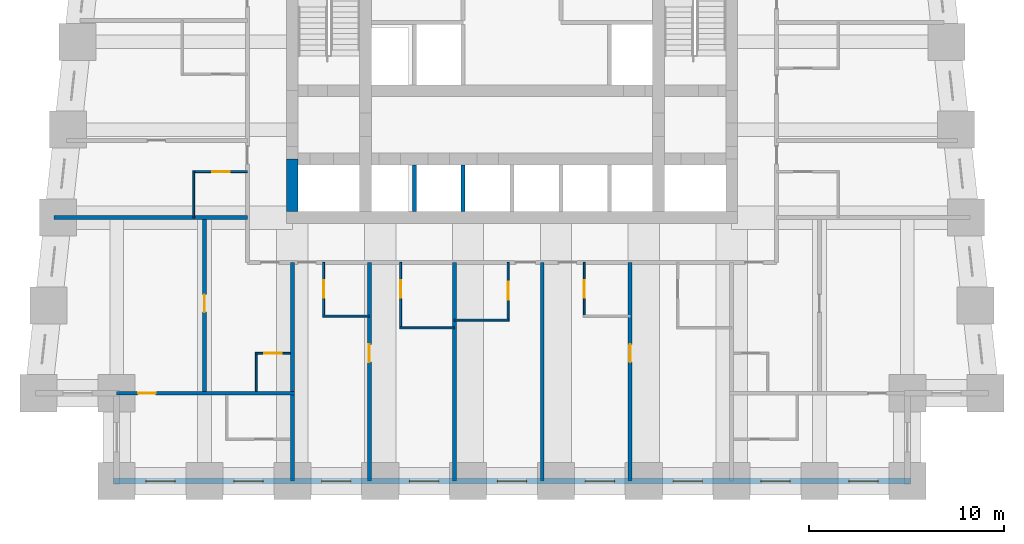
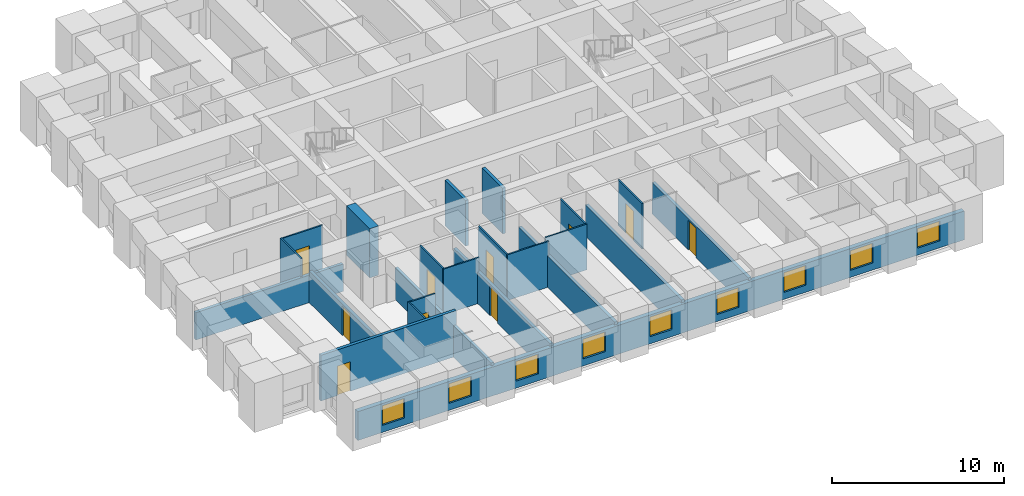
# One storey, part 2 of 8: 23 walls, 10 doors, 9 windows, 19 openings.
"""IFC4 building model written with IfcOpenShell, lengths in metres."""

from ifc_helpers import new_model, si_unit, direction, frame, frame_2d, origin, place, context, subcontext, project, spatial, rectangle, extrude, material, layer, layer_set, type_object, element, fill, save


model = new_model("IFC4")

# Units and contexts
model_context = context("Model", 3, precision=1e-05, world=origin(), true_north=direction((0.0, 1.0)))
body_context = subcontext(model_context, "Body", "Model", "MODEL_VIEW")
ifc_project = project(units=[si_unit("LENGTHUNIT", "METRE"), si_unit("AREAUNIT", "SQUARE_METRE"), si_unit("VOLUMEUNIT", "CUBIC_METRE"), si_unit("PLANEANGLEUNIT", "RADIAN"), si_unit("MASSUNIT", "GRAM", prefix="KILO")], contexts=[model_context])

# Site, building, storey
site_placement = place(None, origin())
site = spatial("IfcSite", under=ifc_project, at=site_placement, CompositionType="ELEMENT")
building_placement = place(site_placement, origin())
building = spatial("IfcBuilding", under=site, at=building_placement, Name="Kilele Tower Hotel", CompositionType="ELEMENT")
storey_placement = place(building_placement, frame((0.0, 0.0, 50.699951171875)))
storey = spatial("IfcBuildingStorey", under=building, at=storey_placement, Name="L11", CompositionType="ELEMENT", Elevation=50.699951171875)

# Wall
ifc_material_1 = material(Name="Moisture-resistant board")
ifc_layer_1 = layer(ifc_material_1, 0.10009765625)
ifc_layer_set_1 = layer_set([ifc_layer_1], Name="Moisture-resistant board")
wall_type_1 = type_object("IfcWallType", Name="Bathroom partition 100", PredefinedType="PLUMBINGWALL", material=ifc_layer_set_1)
wall_1_placement = place(storey_placement, frame((15.050048828125, 8.449951171875, 0.0), z_axis=(0.0, 0.0, 1.0), x_axis=(1.0, 0.0, 0.0)))
element("IfcWall", 1, at=wall_1_placement, inside=storey, type_object=wall_type_1, Name="Bathroom partition 100 L11", PredefinedType="PLUMBINGWALL", context=body_context, shape_type="SweptSolid", body=[
    extrude(rectangle(XDim=2.39990234375, YDim=0.10009765625, at=frame_2d((1.199951171875, 0.0))), origin(), (0.0, 0.0, 1.0), 3.25),
])

# Wall, opening, door
wall_2_placement = place(storey_placement, frame((15.10009765625, 11.199951171875, 0.0), z_axis=(0.0, 0.0, 1.0), x_axis=(0.0, -1.0, 0.0)))
wall_2 = element("IfcWall", 2, at=wall_2_placement, inside=storey, type_object=wall_type_1, Name="Bathroom partition 100 L11", PredefinedType="PLUMBINGWALL", context=body_context, shape_type="SweptSolid", body=[
    extrude(rectangle(XDim=2.800048828125, YDim=0.10009765625, at=frame_2d((1.39990234375, 0.0))), origin(), (0.0, 0.0, 1.0), 3.25),
])
opening_1_placement = place(wall_2_placement, frame((1.7998046875, 0.0, 0.0), z_axis=(0.0, 0.0, 1.0), x_axis=(-1.0, 0.0, 0.0)))
opening_1 = element("IfcOpeningElement", 3, at=opening_1_placement, cuts=wall_2, Name="Opening D2A", PredefinedType="OPENING", context=body_context, shape_type="SweptSolid", body=[
    extrude(rectangle(XDim=0.89990234375, YDim=2.10009765625, at=frame_2d((0.449951171875, 1.050048828125))), frame((0.0, 0.06005859375, 0.0), z_axis=(0.0, -1.0, 0.0), x_axis=(1.0, 0.0, 0.0)), (0.0, 0.0, 1.0), 0.1201171875),
])
ifc_material_2 = material(Name="Timber door leaf in hardwood frame", Category="wood")
door_type_1 = type_object("IfcDoorType", Name="Bathroom door 900", OperationType="SINGLE_SWING_LEFT", PredefinedType="DOOR", material=ifc_material_2)
door_1_placement = place(opening_1_placement, origin())
door_1 = element("IfcDoor", 4, at=door_1_placement, inside=storey, type_object=door_type_1, Name="Bathroom door 1101B", OperationType="SINGLE_SWING_RIGHT", OverallHeight=2.10009765625, OverallWidth=0.89990234375, PredefinedType="DOOR", context=body_context, shape_type="SweptSolid", body=[
    extrude(rectangle(XDim=0.89990234375, YDim=2.10009765625, at=frame_2d((0.449951171875, 1.050048828125))), frame((0.0, 0.02490234375, 0.0), z_axis=(0.0, -1.0, 0.0), x_axis=(1.0, 0.0, 0.0)), (0.0, 0.0, 1.0), 0.050048828125),
])
fill(opening_1, door_1)

# Wall
wall_3_placement = place(storey_placement, frame((19.0, 7.85009765625, 0.0), z_axis=(0.0, 0.0, 1.0), x_axis=(1.0, 0.0, 0.0)))
element("IfcWall", 5, at=wall_3_placement, inside=storey, type_object=wall_type_1, Name="Bathroom partition 100 L11", PredefinedType="PLUMBINGWALL", context=body_context, shape_type="SweptSolid", body=[
    extrude(rectangle(XDim=2.800048828125, YDim=0.10009765625, at=frame_2d((1.39990234375, 0.0))), origin(), (0.0, 0.0, 1.0), 3.25),
])

# Wall, opening, door
wall_4_placement = place(storey_placement, frame((19.050048828125, 11.199951171875, 0.0), z_axis=(0.0, 0.0, 1.0), x_axis=(0.0, -1.0, 0.0)))
wall_4 = element("IfcWall", 6, at=wall_4_placement, inside=storey, type_object=wall_type_1, Name="Bathroom partition 100 L11", PredefinedType="PLUMBINGWALL", context=body_context, shape_type="SweptSolid", body=[
    extrude(rectangle(XDim=3.39990234375, YDim=0.10009765625, at=frame_2d((1.699951171875, 0.0))), origin(), (0.0, 0.0, 1.0), 3.25),
])
opening_2_placement = place(wall_4_placement, frame((1.7998046875, 0.0, 0.0), z_axis=(0.0, 0.0, 1.0), x_axis=(-1.0, 0.0, 0.0)))
opening_2 = element("IfcOpeningElement", 7, at=opening_2_placement, cuts=wall_4, Name="Opening D2A", PredefinedType="OPENING", context=body_context, shape_type="SweptSolid", body=[
    extrude(rectangle(XDim=0.89990234375, YDim=2.10009765625, at=frame_2d((0.449951171875, 1.050048828125))), frame((0.0, 0.06005859375, 0.0), z_axis=(0.0, -1.0, 0.0), x_axis=(1.0, 0.0, 0.0)), (0.0, 0.0, 1.0), 0.1201171875),
])
door_2_placement = place(opening_2_placement, origin())
door_2 = element("IfcDoor", 8, at=door_2_placement, inside=storey, type_object=door_type_1, Name="Bathroom door 1102B", OperationType="SINGLE_SWING_RIGHT", OverallHeight=2.10009765625, OverallWidth=0.89990234375, PredefinedType="DOOR", context=body_context, shape_type="SweptSolid", body=[
    extrude(rectangle(XDim=0.89990234375, YDim=2.10009765625, at=frame_2d((0.449951171875, 1.050048828125))), frame((0.0, 0.02490234375, 0.0), z_axis=(0.0, -1.0, 0.0), x_axis=(1.0, 0.0, 0.0)), (0.0, 0.0, 1.0), 0.050048828125),
])
fill(opening_2, door_2)

# Wall
wall_5_placement = place(storey_placement, frame((21.800048828125, 8.25, 0.0), z_axis=(0.0, 0.0, 1.0), x_axis=(1.0, 0.0, 0.0)))
element("IfcWall", 9, at=wall_5_placement, inside=storey, type_object=wall_type_1, Name="Bathroom partition 100 L11", PredefinedType="PLUMBINGWALL", context=body_context, shape_type="SweptSolid", body=[
    extrude(rectangle(XDim=2.800048828125, YDim=0.10009765625, at=frame_2d((1.39990234375, 0.0))), origin(), (0.0, 0.0, 1.0), 3.25),
])

# Wall, opening, door
wall_6_placement = place(storey_placement, frame((24.550048828125, 11.199951171875, 0.0), z_axis=(0.0, 0.0, 1.0), x_axis=(0.0, -1.0, 0.0)))
wall_6 = element("IfcWall", 10, at=wall_6_placement, inside=storey, type_object=wall_type_1, Name="Bathroom partition 100 L11", PredefinedType="PLUMBINGWALL", context=body_context, shape_type="SweptSolid", body=[
    extrude(rectangle(XDim=3.0, YDim=0.10009765625, at=frame_2d((1.5, 0.0))), origin(), (0.0, 0.0, 1.0), 3.25),
])
opening_3_placement = place(wall_6_placement, frame((1.0, 0.0, 0.0)))
opening_3 = element("IfcOpeningElement", 11, at=opening_3_placement, cuts=wall_6, Name="Opening D2A", PredefinedType="OPENING", context=body_context, shape_type="SweptSolid", body=[
    extrude(rectangle(XDim=0.89990234375, YDim=2.10009765625, at=frame_2d((0.449951171875, 1.050048828125))), frame((0.0, 0.06005859375, 0.0), z_axis=(0.0, -1.0, 0.0), x_axis=(1.0, 0.0, 0.0)), (0.0, 0.0, 1.0), 0.1201171875),
])
door_3_placement = place(opening_3_placement, origin())
door_3 = element("IfcDoor", 12, at=door_3_placement, inside=storey, type_object=door_type_1, Name="Bathroom door 1103B", OperationType="SINGLE_SWING_LEFT", OverallHeight=2.10009765625, OverallWidth=0.89990234375, PredefinedType="DOOR", context=body_context, shape_type="SweptSolid", body=[
    extrude(rectangle(XDim=0.89990234375, YDim=2.10009765625, at=frame_2d((0.449951171875, 1.050048828125))), frame((0.0, 0.02490234375, 0.0), z_axis=(0.0, -1.0, 0.0), x_axis=(1.0, 0.0, 0.0)), (0.0, 0.0, 1.0), 0.050048828125),
])
fill(opening_3, door_3)

wall_7_placement = place(storey_placement, frame((28.449951171875, 11.199951171875, 0.0), z_axis=(0.0, 0.0, 1.0), x_axis=(0.0, -1.0, 0.0)))
wall_7 = element("IfcWall", 13, at=wall_7_placement, inside=storey, type_object=wall_type_1, Name="Bathroom partition 100 L11", PredefinedType="PLUMBINGWALL", context=body_context, shape_type="SweptSolid", body=[
    extrude(rectangle(XDim=2.800048828125, YDim=0.10009765625, at=frame_2d((1.39990234375, 0.0))), origin(), (0.0, 0.0, 1.0), 3.25),
])
opening_4_placement = place(wall_7_placement, frame((1.7998046875, 0.0, 0.0), z_axis=(0.0, 0.0, 1.0), x_axis=(-1.0, 0.0, 0.0)))
opening_4 = element("IfcOpeningElement", 14, at=opening_4_placement, cuts=wall_7, Name="Opening D2A", PredefinedType="OPENING", context=body_context, shape_type="SweptSolid", body=[
    extrude(rectangle(XDim=0.89990234375, YDim=2.10009765625, at=frame_2d((0.449951171875, 1.050048828125))), frame((0.0, 0.06005859375, 0.0), z_axis=(0.0, -1.0, 0.0), x_axis=(1.0, 0.0, 0.0)), (0.0, 0.0, 1.0), 0.1201171875),
])
door_4_placement = place(opening_4_placement, origin())
door_4 = element("IfcDoor", 15, at=door_4_placement, inside=storey, type_object=door_type_1, Name="Bathroom door 1104B", OperationType="SINGLE_SWING_RIGHT", OverallHeight=2.10009765625, OverallWidth=0.89990234375, PredefinedType="DOOR", context=body_context, shape_type="SweptSolid", body=[
    extrude(rectangle(XDim=0.89990234375, YDim=2.10009765625, at=frame_2d((0.449951171875, 1.050048828125))), frame((0.0, 0.02490234375, 0.0), z_axis=(0.0, -1.0, 0.0), x_axis=(1.0, 0.0, 0.0)), (0.0, 0.0, 1.0), 0.050048828125),
])
fill(opening_4, door_4)

# Wall
wall_8_placement = place(storey_placement, frame((8.449951171875, 13.5, 0.0), z_axis=(0.0, 0.0, 1.0), x_axis=(0.0, 1.0, 0.0)))
element("IfcWall", 16, at=wall_8_placement, inside=storey, type_object=wall_type_1, Name="Bathroom partition 100 L11", PredefinedType="PLUMBINGWALL", context=body_context, shape_type="SweptSolid", body=[
    extrude(rectangle(XDim=2.39990234375, YDim=0.10009765625, at=frame_2d((1.199951171875, 0.0))), origin(), (0.0, 0.0, 1.0), 3.25),
])

# Wall, opening, door
wall_9_placement = place(storey_placement, frame((11.199951171875, 15.85009765625, 0.0), z_axis=(0.0, 0.0, 1.0), x_axis=(-1.0, 0.0, 0.0)))
wall_9 = element("IfcWall", 17, at=wall_9_placement, inside=storey, type_object=wall_type_1, Name="Bathroom partition 100 L11", PredefinedType="PLUMBINGWALL", context=body_context, shape_type="SweptSolid", body=[
    extrude(rectangle(XDim=2.800048828125, YDim=0.10009765625, at=frame_2d((1.39990234375, 0.0))), origin(), (0.0, 0.0, 1.0), 3.25),
])
opening_5_placement = place(wall_9_placement, frame((1.7998046875, 0.0, 0.0), z_axis=(0.0, 0.0, 1.0), x_axis=(-1.0, 0.0, 0.0)))
opening_5 = element("IfcOpeningElement", 18, at=opening_5_placement, cuts=wall_9, Name="Opening D2A", PredefinedType="OPENING", context=body_context, shape_type="SweptSolid", body=[
    extrude(rectangle(XDim=0.89990234375, YDim=2.10009765625, at=frame_2d((0.449951171875, 1.050048828125))), frame((0.0, 0.06005859375, 0.0), z_axis=(0.0, -1.0, 0.0), x_axis=(1.0, 0.0, 0.0)), (0.0, 0.0, 1.0), 0.1201171875),
])
door_5_placement = place(opening_5_placement, origin())
door_5 = element("IfcDoor", 19, at=door_5_placement, inside=storey, type_object=door_type_1, Name="Bathroom door 1114B", OperationType="SINGLE_SWING_RIGHT", OverallHeight=2.10009765625, OverallWidth=0.89990234375, PredefinedType="DOOR", context=body_context, shape_type="SweptSolid", body=[
    extrude(rectangle(XDim=0.89990234375, YDim=2.10009765625, at=frame_2d((0.449951171875, 1.050048828125))), frame((0.0, 0.02490234375, 0.0), z_axis=(0.0, -1.0, 0.0), x_axis=(1.0, 0.0, 0.0)), (0.0, 0.0, 1.0), 0.050048828125),
])
fill(opening_5, door_5)

# Wall
wall_10_placement = place(storey_placement, frame((11.64990234375, 4.60009765625, 0.0), z_axis=(0.0, 0.0, 1.0), x_axis=(0.0, 1.0, 0.0)))
element("IfcWall", 20, at=wall_10_placement, inside=storey, type_object=wall_type_1, Name="Bathroom partition 100 L11", PredefinedType="PLUMBINGWALL", context=body_context, shape_type="SweptSolid", body=[
    extrude(rectangle(XDim=2.0, YDim=0.10009765625, at=frame_2d((1.0, 0.0))), origin(), (0.0, 0.0, 1.0), 3.25),
])

# Wall, opening, door
wall_11_placement = place(storey_placement, frame((13.39990234375, 6.550048828125, 0.0), z_axis=(0.0, 0.0, 1.0), x_axis=(-1.0, 0.0, 0.0)))
wall_11 = element("IfcWall", 21, at=wall_11_placement, inside=storey, type_object=wall_type_1, Name="Bathroom partition 100 L11", PredefinedType="PLUMBINGWALL", context=body_context, shape_type="SweptSolid", body=[
    extrude(rectangle(XDim=1.7998046875, YDim=0.10009765625, at=frame_2d((0.89990234375, 0.0))), origin(), (0.0, 0.0, 1.0), 3.25),
])
opening_6_placement = place(wall_11_placement, frame((1.349853515625, 0.0, 0.0), z_axis=(0.0, 0.0, 1.0), x_axis=(-1.0, 0.0, 0.0)))
opening_6 = element("IfcOpeningElement", 22, at=opening_6_placement, cuts=wall_11, Name="Opening D2A", PredefinedType="OPENING", context=body_context, shape_type="SweptSolid", body=[
    extrude(rectangle(XDim=0.89990234375, YDim=2.10009765625, at=frame_2d((0.449951171875, 1.050048828125))), frame((0.0, 0.06005859375, 0.0), z_axis=(0.0, -1.0, 0.0), x_axis=(1.0, 0.0, 0.0)), (0.0, 0.0, 1.0), 0.1201171875),
])
door_6_placement = place(opening_6_placement, origin())
door_6 = element("IfcDoor", 23, at=door_6_placement, inside=storey, type_object=door_type_1, Name="Bathroom door 1117P", OperationType="SINGLE_SWING_RIGHT", OverallHeight=2.10009765625, OverallWidth=0.89990234375, PredefinedType="DOOR", context=body_context, shape_type="SweptSolid", body=[
    extrude(rectangle(XDim=0.89990234375, YDim=2.10009765625, at=frame_2d((0.449951171875, 1.050048828125))), frame((0.0, 0.02490234375, 0.0), z_axis=(0.0, -1.0, 0.0), x_axis=(1.0, 0.0, 0.0)), (0.0, 0.0, 1.0), 0.050048828125),
])
fill(opening_6, door_6)

# Wall
ifc_material_3 = material(Name="Concrete C60/75", Category="concrete")
ifc_layer_2 = layer(ifc_material_3, 0.60009765625)
ifc_layer_set_2 = layer_set([ifc_layer_2], Name="Concrete C60/75")
wall_type_2 = type_object("IfcWallType", Name="Core wall 600 C60/75", PredefinedType="SHEAR", material=ifc_layer_set_2)
wall_12_placement = place(storey_placement, frame((13.5, 16.5, 0.0), z_axis=(0.0, 0.0, 1.0), x_axis=(0.0, -1.0, 0.0)))
element("IfcWall", 24, at=wall_12_placement, inside=storey, type_object=wall_type_2, Name="Core wall W3 L11", PredefinedType="SHEAR", context=body_context, shape_type="SweptSolid", body=[
    extrude(rectangle(XDim=2.699951171875, YDim=0.60009765625, at=frame_2d((1.35009765625, 0.0))), origin(), (0.0, 0.0, 1.0), 3.5),
])

# Wall, opening, door
ifc_material_4 = material(Name="Blockwork, plastered both sides", Category="masonry")
ifc_layer_3 = layer(ifc_material_4, 0.199951171875)
ifc_layer_set_3 = layer_set([ifc_layer_3], Name="Blockwork, plastered both sides")
wall_type_3 = type_object("IfcWallType", Name="Partition wall 200", PredefinedType="PARTITIONING", material=ifc_layer_set_3)
wall_13_placement = place(storey_placement, frame((9.0, 4.60009765625, 0.0), z_axis=(0.0, 0.0, 1.0), x_axis=(0.0, 1.0, 0.0)))
wall_13 = element("IfcWall", 25, at=wall_13_placement, inside=storey, type_object=wall_type_3, Name="Partition wall 200 L11", PredefinedType="PARTITIONING", context=body_context, shape_type="SweptSolid", body=[
    extrude(rectangle(XDim=8.7998046875, YDim=0.199951171875, at=frame_2d((4.39990234375, 0.0))), origin(), (0.0, 0.0, 1.0), 2.25),
])
opening_7_placement = place(wall_13_placement, frame((4.050048828125, 0.0, 0.0)))
opening_7 = element("IfcOpeningElement", 26, at=opening_7_placement, cuts=wall_13, Name="Opening D3", PredefinedType="OPENING", context=body_context, shape_type="SweptSolid", body=[
    extrude(rectangle(XDim=0.89990234375, YDim=2.10009765625, at=frame_2d((0.449951171875, 1.050048828125))), frame((0.0, 0.10986328125, 0.0), z_axis=(0.0, -1.0, 0.0), x_axis=(1.0, 0.0, 0.0)), (0.0, 0.0, 1.0), 0.219970703125),
])
ifc_material_5 = material(Name="Timber door leaf in hardwood frame", Category="wood")
door_type_2 = type_object("IfcDoorType", Name="Suite internal door 900", OperationType="SINGLE_SWING_LEFT", PredefinedType="DOOR", material=ifc_material_5)
door_7_placement = place(opening_7_placement, origin())
door_7 = element("IfcDoor", 27, at=door_7_placement, inside=storey, type_object=door_type_2, Name="Suite door 1118", OperationType="SINGLE_SWING_RIGHT", OverallHeight=2.10009765625, OverallWidth=0.89990234375, PredefinedType="DOOR", context=body_context, shape_type="SweptSolid", body=[
    extrude(rectangle(XDim=0.89990234375, YDim=2.10009765625, at=frame_2d((0.449951171875, 1.050048828125))), frame((0.0, 0.02490234375, 0.0), z_axis=(0.0, -1.0, 0.0), x_axis=(1.0, 0.0, 0.0)), (0.0, 0.0, 1.0), 0.050048828125),
])
fill(opening_7, door_7)

ifc_material_6 = material(Name="Blockwork, plastered both sides", Category="masonry")
ifc_layer_4 = layer(ifc_material_6, 0.199951171875)
ifc_layer_set_4 = layer_set([ifc_layer_4], Name="Blockwork, plastered both sides")
wall_type_4 = type_object("IfcWallType", Name="Party wall 200", PredefinedType="PARTITIONING", material=ifc_layer_set_4)
wall_14_placement = place(storey_placement, frame((17.449951171875, 11.199951171875, 0.0), z_axis=(0.0, 0.0, 1.0), x_axis=(0.0, -1.0, 0.0)))
wall_14 = element("IfcWall", 28, at=wall_14_placement, inside=storey, type_object=wall_type_4, Name="Party wall 200 L11", PredefinedType="PARTITIONING", context=body_context, shape_type="SweptSolid", body=[
    extrude(rectangle(XDim=11.199951171875, YDim=0.199951171875, at=frame_2d((5.60009765625, 0.0))), origin(), (0.0, 0.0, 1.0), 2.25),
])
opening_8_placement = place(wall_14_placement, frame((5.099853515625, 0.0, 0.0), z_axis=(0.0, 0.0, 1.0), x_axis=(-1.0, 0.0, 0.0)))
opening_8 = element("IfcOpeningElement", 29, at=opening_8_placement, cuts=wall_14, Name="Opening D3", PredefinedType="OPENING", context=body_context, shape_type="SweptSolid", body=[
    extrude(rectangle(XDim=0.89990234375, YDim=2.10009765625, at=frame_2d((0.449951171875, 1.050048828125))), frame((0.0, 0.10986328125, 0.0), z_axis=(0.0, -1.0, 0.0), x_axis=(1.0, 0.0, 0.0)), (0.0, 0.0, 1.0), 0.219970703125),
])
door_8_placement = place(opening_8_placement, origin())
door_8 = element("IfcDoor", 30, at=door_8_placement, inside=storey, type_object=door_type_2, Name="Suite door 1102", OperationType="SINGLE_SWING_RIGHT", OverallHeight=2.10009765625, OverallWidth=0.89990234375, PredefinedType="DOOR", context=body_context, shape_type="SweptSolid", body=[
    extrude(rectangle(XDim=0.89990234375, YDim=2.10009765625, at=frame_2d((0.449951171875, 1.050048828125))), frame((0.0, 0.02490234375, 0.0), z_axis=(0.0, -1.0, 0.0), x_axis=(1.0, 0.0, 0.0)), (0.0, 0.0, 1.0), 0.050048828125),
])
fill(opening_8, door_8)

# Walls
for number, where, z_axis, x_axis, name in (
    (31, (21.800048828125, 11.199951171875, 0.0), (0.0, 0.0, 1.0), (0.0, -1.0, 0.0), "Party wall 200 L11"),
    (32, (26.300048828125, 11.199951171875, 0.0), (0.0, 0.0, 1.0), (0.0, -1.0, 0.0), "Party wall 200 L11"),
):
    element("IfcWall", number, at=place(storey_placement, frame(where, z_axis=z_axis, x_axis=x_axis)), inside=storey, type_object=wall_type_4, Name=name, PredefinedType="PARTITIONING", context=body_context, shape_type="SweptSolid", body=[
        extrude(rectangle(XDim=11.199951171875, YDim=0.199951171875, at=frame_2d((5.60009765625, 0.0))), origin(), (0.0, 0.0, 1.0), 2.25),
    ])

# Wall, opening, door
wall_15_placement = place(storey_placement, frame((30.800048828125, 11.199951171875, 0.0), z_axis=(0.0, 0.0, 1.0), x_axis=(0.0, -1.0, 0.0)))
wall_15 = element("IfcWall", 33, at=wall_15_placement, inside=storey, type_object=wall_type_4, Name="Party wall 200 L11", PredefinedType="PARTITIONING", context=body_context, shape_type="SweptSolid", body=[
    extrude(rectangle(XDim=11.199951171875, YDim=0.199951171875, at=frame_2d((5.60009765625, 0.0))), origin(), (0.0, 0.0, 1.0), 2.25),
])
opening_9_placement = place(wall_15_placement, frame((5.099853515625, 0.0, 0.0), z_axis=(0.0, 0.0, 1.0), x_axis=(-1.0, 0.0, 0.0)))
opening_9 = element("IfcOpeningElement", 34, at=opening_9_placement, cuts=wall_15, Name="Opening D3", PredefinedType="OPENING", context=body_context, shape_type="SweptSolid", body=[
    extrude(rectangle(XDim=0.89990234375, YDim=2.10009765625, at=frame_2d((0.449951171875, 1.050048828125))), frame((0.0, 0.10986328125, 0.0), z_axis=(0.0, -1.0, 0.0), x_axis=(1.0, 0.0, 0.0)), (0.0, 0.0, 1.0), 0.219970703125),
])
door_9_placement = place(opening_9_placement, origin())
door_9 = element("IfcDoor", 35, at=door_9_placement, inside=storey, type_object=door_type_2, Name="Suite door 1105", OperationType="SINGLE_SWING_RIGHT", OverallHeight=2.10009765625, OverallWidth=0.89990234375, PredefinedType="DOOR", context=body_context, shape_type="SweptSolid", body=[
    extrude(rectangle(XDim=0.89990234375, YDim=2.10009765625, at=frame_2d((0.449951171875, 1.050048828125))), frame((0.0, 0.02490234375, 0.0), z_axis=(0.0, -1.0, 0.0), x_axis=(1.0, 0.0, 0.0)), (0.0, 0.0, 1.0), 0.050048828125),
])
fill(opening_9, door_9)

# Walls
wall_16_placement = place(storey_placement, frame((11.199951171875, 13.5, 0.0), z_axis=(0.0, 0.0, 1.0), x_axis=(-1.0, 0.0, 0.0)))
element("IfcWall", 36, at=wall_16_placement, inside=storey, type_object=wall_type_4, Name="Party wall 200 L11", PredefinedType="PARTITIONING", context=body_context, shape_type="SweptSolid", body=[
    extrude(rectangle(XDim=9.921142578125, YDim=0.199951171875, at=frame_2d((4.96044921875, 0.0))), origin(), (0.0, 0.0, 1.0), 1.949951171875),
])
wall_17_placement = place(storey_placement, frame((13.5, 11.199951171875, 0.0), z_axis=(0.0, 0.0, 1.0), x_axis=(0.0, -1.0, 0.0)))
element("IfcWall", 37, at=wall_17_placement, inside=storey, type_object=wall_type_4, Name="Party wall 200 L11", PredefinedType="PARTITIONING", context=body_context, shape_type="SweptSolid", body=[
    extrude(rectangle(XDim=11.199951171875, YDim=0.199951171875, at=frame_2d((5.60009765625, 0.0))), origin(), (0.0, 0.0, 1.0), 2.25),
])

# Wall, opening, door
wall_18_placement = place(storey_placement, frame((13.60009765625, 4.5, 0.0), z_axis=(0.0, 0.0, 1.0), x_axis=(-1.0, 0.0, 0.0)))
wall_18 = element("IfcWall", 38, at=wall_18_placement, inside=storey, type_object=wall_type_4, Name="Party wall 200 L11", PredefinedType="PARTITIONING", context=body_context, shape_type="SweptSolid", body=[
    extrude(rectangle(XDim=9.10009765625, YDim=0.199951171875, at=frame_2d((4.550048828125, 0.0))), origin(), (0.0, 0.0, 1.0), 3.25),
])
opening_10_placement = place(wall_18_placement, frame((7.10009765625, 0.0, 0.0)))
opening_10 = element("IfcOpeningElement", 39, at=opening_10_placement, cuts=wall_18, Name="Opening D3", PredefinedType="OPENING", context=body_context, shape_type="SweptSolid", body=[
    extrude(rectangle(XDim=0.89990234375, YDim=2.10009765625, at=frame_2d((0.449951171875, 1.050048828125))), frame((0.0, 0.10986328125, 0.0), z_axis=(0.0, -1.0, 0.0), x_axis=(1.0, 0.0, 0.0)), (0.0, 0.0, 1.0), 0.219970703125),
])
door_10_placement = place(opening_10_placement, origin())
door_10 = element("IfcDoor", 40, at=door_10_placement, inside=storey, type_object=door_type_2, Name="Suite door 1119", OperationType="SINGLE_SWING_RIGHT", OverallHeight=2.10009765625, OverallWidth=0.89990234375, PredefinedType="DOOR", context=body_context, shape_type="SweptSolid", body=[
    extrude(rectangle(XDim=0.89990234375, YDim=2.10009765625, at=frame_2d((0.449951171875, 1.050048828125))), frame((0.0, 0.02490234375, 0.0), z_axis=(0.0, -1.0, 0.0), x_axis=(1.0, 0.0, 0.0)), (0.0, 0.0, 1.0), 0.050048828125),
])
fill(opening_10, door_10)

# Wall, openings, windows
ifc_material_7 = material(Name="Concrete C40/50 precast", Category="concrete")
ifc_layer_5 = layer(ifc_material_7, 0.260009765625, Name="Precast backing", Category="LoadBearing")
ifc_material_8 = material(Name="Reconstituted stone finish", Category="masonry")
ifc_layer_6 = layer(ifc_material_8, 0.0400390625, Name="Face mix", Category="Finish")
ifc_layer_set_5 = layer_set([ifc_layer_5, ifc_layer_6], Name="Precast concrete C40/50, reconstituted stone finish")
wall_type_5 = type_object("IfcWallType", Name="Precast stone facade wall 300", PredefinedType="STANDARD", material=ifc_layer_set_5)
wall_19_placement = place(storey_placement, frame((4.35009765625, 0.0, 0.0), z_axis=(0.0, 0.0, 1.0), x_axis=(1.0, 0.0, 0.0)))
wall_19 = element("IfcWall", 41, at=wall_19_placement, inside=storey, type_object=wall_type_5, Name="Facade wall L11 edge 3", PredefinedType="STANDARD", context=body_context, shape_type="SweptSolid", body=[
    extrude(rectangle(XDim=40.7998046875, YDim=0.300048828125, at=frame_2d((20.39990234375, 0.0))), origin(), (0.0, 0.0, 1.0), 2.050048828125),
])
opening_11_placement = place(wall_19_placement, frame((1.64990234375, 0.0, 0.5)))
opening_11 = element("IfcOpeningElement", 42, at=opening_11_placement, cuts=wall_19, Name="Opening W1", PredefinedType="OPENING", context=body_context, shape_type="SweptSolid", body=[
    extrude(rectangle(XDim=1.5, YDim=1.39990234375, at=frame_2d((0.75, 0.699951171875))), frame((0.0, 0.159912109375, 0.0), z_axis=(0.0, -1.0, 0.0), x_axis=(1.0, 0.0, 0.0)), (0.0, 0.0, 1.0), 0.320068359375),
])
opening_12_placement = place(wall_19_placement, frame((6.14990234375, 0.0, 0.5)))
opening_12 = element("IfcOpeningElement", 43, at=opening_12_placement, cuts=wall_19, Name="Opening W1", PredefinedType="OPENING", context=body_context, shape_type="SweptSolid", body=[
    extrude(rectangle(XDim=1.5, YDim=1.39990234375, at=frame_2d((0.75, 0.699951171875))), frame((0.0, 0.159912109375, 0.0), z_axis=(0.0, -1.0, 0.0), x_axis=(1.0, 0.0, 0.0)), (0.0, 0.0, 1.0), 0.320068359375),
])
opening_13_placement = place(wall_19_placement, frame((10.64990234375, 0.0, 0.5)))
opening_13 = element("IfcOpeningElement", 44, at=opening_13_placement, cuts=wall_19, Name="Opening W1", PredefinedType="OPENING", context=body_context, shape_type="SweptSolid", body=[
    extrude(rectangle(XDim=1.5, YDim=1.39990234375, at=frame_2d((0.75, 0.699951171875))), frame((0.0, 0.159912109375, 0.0), z_axis=(0.0, -1.0, 0.0), x_axis=(1.0, 0.0, 0.0)), (0.0, 0.0, 1.0), 0.320068359375),
])
opening_14_placement = place(wall_19_placement, frame((15.14990234375, 0.0, 0.5)))
opening_14 = element("IfcOpeningElement", 45, at=opening_14_placement, cuts=wall_19, Name="Opening W1", PredefinedType="OPENING", context=body_context, shape_type="SweptSolid", body=[
    extrude(rectangle(XDim=1.5, YDim=1.39990234375, at=frame_2d((0.75, 0.699951171875))), frame((0.0, 0.159912109375, 0.0), z_axis=(0.0, -1.0, 0.0), x_axis=(1.0, 0.0, 0.0)), (0.0, 0.0, 1.0), 0.320068359375),
])
opening_15_placement = place(wall_19_placement, frame((19.64990234375, 0.0, 0.5)))
opening_15 = element("IfcOpeningElement", 46, at=opening_15_placement, cuts=wall_19, Name="Opening W1", PredefinedType="OPENING", context=body_context, shape_type="SweptSolid", body=[
    extrude(rectangle(XDim=1.5, YDim=1.39990234375, at=frame_2d((0.75, 0.699951171875))), frame((0.0, 0.159912109375, 0.0), z_axis=(0.0, -1.0, 0.0), x_axis=(1.0, 0.0, 0.0)), (0.0, 0.0, 1.0), 0.320068359375),
])
opening_16_placement = place(wall_19_placement, frame((24.14990234375, 0.0, 0.5)))
opening_16 = element("IfcOpeningElement", 47, at=opening_16_placement, cuts=wall_19, Name="Opening W1", PredefinedType="OPENING", context=body_context, shape_type="SweptSolid", body=[
    extrude(rectangle(XDim=1.5, YDim=1.39990234375, at=frame_2d((0.75, 0.699951171875))), frame((0.0, 0.159912109375, 0.0), z_axis=(0.0, -1.0, 0.0), x_axis=(1.0, 0.0, 0.0)), (0.0, 0.0, 1.0), 0.320068359375),
])
opening_17_placement = place(wall_19_placement, frame((28.64990234375, 0.0, 0.5)))
opening_17 = element("IfcOpeningElement", 48, at=opening_17_placement, cuts=wall_19, Name="Opening W1", PredefinedType="OPENING", context=body_context, shape_type="SweptSolid", body=[
    extrude(rectangle(XDim=1.5, YDim=1.39990234375, at=frame_2d((0.75, 0.699951171875))), frame((0.0, 0.159912109375, 0.0), z_axis=(0.0, -1.0, 0.0), x_axis=(1.0, 0.0, 0.0)), (0.0, 0.0, 1.0), 0.320068359375),
])
opening_18_placement = place(wall_19_placement, frame((33.14990234375, 0.0, 0.5)))
opening_18 = element("IfcOpeningElement", 49, at=opening_18_placement, cuts=wall_19, Name="Opening W1", PredefinedType="OPENING", context=body_context, shape_type="SweptSolid", body=[
    extrude(rectangle(XDim=1.5, YDim=1.39990234375, at=frame_2d((0.75, 0.699951171875))), frame((0.0, 0.159912109375, 0.0), z_axis=(0.0, -1.0, 0.0), x_axis=(1.0, 0.0, 0.0)), (0.0, 0.0, 1.0), 0.320068359375),
])
opening_19_placement = place(wall_19_placement, frame((37.64990234375, 0.0, 0.5)))
opening_19 = element("IfcOpeningElement", 50, at=opening_19_placement, cuts=wall_19, Name="Opening W1", PredefinedType="OPENING", context=body_context, shape_type="SweptSolid", body=[
    extrude(rectangle(XDim=1.5, YDim=1.39990234375, at=frame_2d((0.75, 0.699951171875))), frame((0.0, 0.159912109375, 0.0), z_axis=(0.0, -1.0, 0.0), x_axis=(1.0, 0.0, 0.0)), (0.0, 0.0, 1.0), 0.320068359375),
])
ifc_material_9 = material(Name="Aluminium frame, clear double glazing", Category="aluminium")
window_type = type_object("IfcWindowType", Name="Window W1 1500 x 1400", PartitioningType="SINGLE_PANEL", PredefinedType="WINDOW", material=ifc_material_9)
window_1_placement = place(opening_11_placement, origin())
window_1 = element("IfcWindow", 51, at=window_1_placement, inside=storey, type_object=window_type, Name="Window L11", OverallHeight=1.39990234375, OverallWidth=1.5, PartitioningType="SINGLE_PANEL", PredefinedType="WINDOW", context=body_context, shape_type="SweptSolid", body=[
    extrude(rectangle(XDim=1.5, YDim=1.39990234375, at=frame_2d((0.75, 0.699951171875))), frame((0.0, 0.030029296875, 0.0), z_axis=(0.0, -1.0, 0.0), x_axis=(1.0, 0.0, 0.0)), (0.0, 0.0, 1.0), 0.06005859375),
])
fill(opening_11, window_1)
window_2_placement = place(opening_12_placement, origin())
window_2 = element("IfcWindow", 52, at=window_2_placement, inside=storey, type_object=window_type, Name="Window L11", OverallHeight=1.39990234375, OverallWidth=1.5, PartitioningType="SINGLE_PANEL", PredefinedType="WINDOW", context=body_context, shape_type="SweptSolid", body=[
    extrude(rectangle(XDim=1.5, YDim=1.39990234375, at=frame_2d((0.75, 0.699951171875))), frame((0.0, 0.030029296875, 0.0), z_axis=(0.0, -1.0, 0.0), x_axis=(1.0, 0.0, 0.0)), (0.0, 0.0, 1.0), 0.06005859375),
])
fill(opening_12, window_2)
window_3_placement = place(opening_13_placement, origin())
window_3 = element("IfcWindow", 53, at=window_3_placement, inside=storey, type_object=window_type, Name="Window L11", OverallHeight=1.39990234375, OverallWidth=1.5, PartitioningType="SINGLE_PANEL", PredefinedType="WINDOW", context=body_context, shape_type="SweptSolid", body=[
    extrude(rectangle(XDim=1.5, YDim=1.39990234375, at=frame_2d((0.75, 0.699951171875))), frame((0.0, 0.030029296875, 0.0), z_axis=(0.0, -1.0, 0.0), x_axis=(1.0, 0.0, 0.0)), (0.0, 0.0, 1.0), 0.06005859375),
])
fill(opening_13, window_3)
window_4_placement = place(opening_14_placement, origin())
window_4 = element("IfcWindow", 54, at=window_4_placement, inside=storey, type_object=window_type, Name="Window L11", OverallHeight=1.39990234375, OverallWidth=1.5, PartitioningType="SINGLE_PANEL", PredefinedType="WINDOW", context=body_context, shape_type="SweptSolid", body=[
    extrude(rectangle(XDim=1.5, YDim=1.39990234375, at=frame_2d((0.75, 0.699951171875))), frame((0.0, 0.030029296875, 0.0), z_axis=(0.0, -1.0, 0.0), x_axis=(1.0, 0.0, 0.0)), (0.0, 0.0, 1.0), 0.06005859375),
])
fill(opening_14, window_4)
window_5_placement = place(opening_15_placement, origin())
window_5 = element("IfcWindow", 55, at=window_5_placement, inside=storey, type_object=window_type, Name="Window L11", OverallHeight=1.39990234375, OverallWidth=1.5, PartitioningType="SINGLE_PANEL", PredefinedType="WINDOW", context=body_context, shape_type="SweptSolid", body=[
    extrude(rectangle(XDim=1.5, YDim=1.39990234375, at=frame_2d((0.75, 0.699951171875))), frame((0.0, 0.030029296875, 0.0), z_axis=(0.0, -1.0, 0.0), x_axis=(1.0, 0.0, 0.0)), (0.0, 0.0, 1.0), 0.06005859375),
])
fill(opening_15, window_5)
window_6_placement = place(opening_16_placement, origin())
window_6 = element("IfcWindow", 56, at=window_6_placement, inside=storey, type_object=window_type, Name="Window L11", OverallHeight=1.39990234375, OverallWidth=1.5, PartitioningType="SINGLE_PANEL", PredefinedType="WINDOW", context=body_context, shape_type="SweptSolid", body=[
    extrude(rectangle(XDim=1.5, YDim=1.39990234375, at=frame_2d((0.75, 0.699951171875))), frame((0.0, 0.030029296875, 0.0), z_axis=(0.0, -1.0, 0.0), x_axis=(1.0, 0.0, 0.0)), (0.0, 0.0, 1.0), 0.06005859375),
])
fill(opening_16, window_6)
window_7_placement = place(opening_17_placement, origin())
window_7 = element("IfcWindow", 57, at=window_7_placement, inside=storey, type_object=window_type, Name="Window L11", OverallHeight=1.39990234375, OverallWidth=1.5, PartitioningType="SINGLE_PANEL", PredefinedType="WINDOW", context=body_context, shape_type="SweptSolid", body=[
    extrude(rectangle(XDim=1.5, YDim=1.39990234375, at=frame_2d((0.75, 0.699951171875))), frame((0.0, 0.030029296875, 0.0), z_axis=(0.0, -1.0, 0.0), x_axis=(1.0, 0.0, 0.0)), (0.0, 0.0, 1.0), 0.06005859375),
])
fill(opening_17, window_7)
window_8_placement = place(opening_18_placement, origin())
window_8 = element("IfcWindow", 58, at=window_8_placement, inside=storey, type_object=window_type, Name="Window L11", OverallHeight=1.39990234375, OverallWidth=1.5, PartitioningType="SINGLE_PANEL", PredefinedType="WINDOW", context=body_context, shape_type="SweptSolid", body=[
    extrude(rectangle(XDim=1.5, YDim=1.39990234375, at=frame_2d((0.75, 0.699951171875))), frame((0.0, 0.030029296875, 0.0), z_axis=(0.0, -1.0, 0.0), x_axis=(1.0, 0.0, 0.0)), (0.0, 0.0, 1.0), 0.06005859375),
])
fill(opening_18, window_8)
window_9_placement = place(opening_19_placement, origin())
window_9 = element("IfcWindow", 59, at=window_9_placement, inside=storey, type_object=window_type, Name="Window L11", OverallHeight=1.39990234375, OverallWidth=1.5, PartitioningType="SINGLE_PANEL", PredefinedType="WINDOW", context=body_context, shape_type="SweptSolid", body=[
    extrude(rectangle(XDim=1.5, YDim=1.39990234375, at=frame_2d((0.75, 0.699951171875))), frame((0.0, 0.030029296875, 0.0), z_axis=(0.0, -1.0, 0.0), x_axis=(1.0, 0.0, 0.0)), (0.0, 0.0, 1.0), 0.06005859375),
])
fill(opening_19, window_9)

# Walls
ifc_material_10 = material(Name="Blockwork, fire-rated", Category="masonry")
ifc_layer_7 = layer(ifc_material_10, 0.199951171875)
ifc_layer_set_6 = layer_set([ifc_layer_7], Name="Blockwork, fire-rated")
wall_type_6 = type_object("IfcWallType", Name="Shaft wall 200", PredefinedType="PARTITIONING", material=ifc_layer_set_6)
for number, where, z_axis, x_axis, name in (
    (60, (19.75, 13.800048828125, 0.0), (0.0, 0.0, 1.0), (0.0, 1.0, 0.0), "Shaft wall 200 L11"),
    (61, (22.25, 13.800048828125, 0.0), (0.0, 0.0, 1.0), (0.0, 1.0, 0.0), "Shaft wall 200 L11"),
):
    element("IfcWall", number, at=place(storey_placement, frame(where, z_axis=z_axis, x_axis=x_axis)), inside=storey, type_object=wall_type_6, Name=name, PredefinedType="PARTITIONING", context=body_context, shape_type="SweptSolid", body=[
        extrude(rectangle(XDim=2.39990234375, YDim=0.199951171875, at=frame_2d((1.199951171875, 0.0))), origin(), (0.0, 0.0, 1.0), 3.25),
    ])

save(model, "model.ifc")
